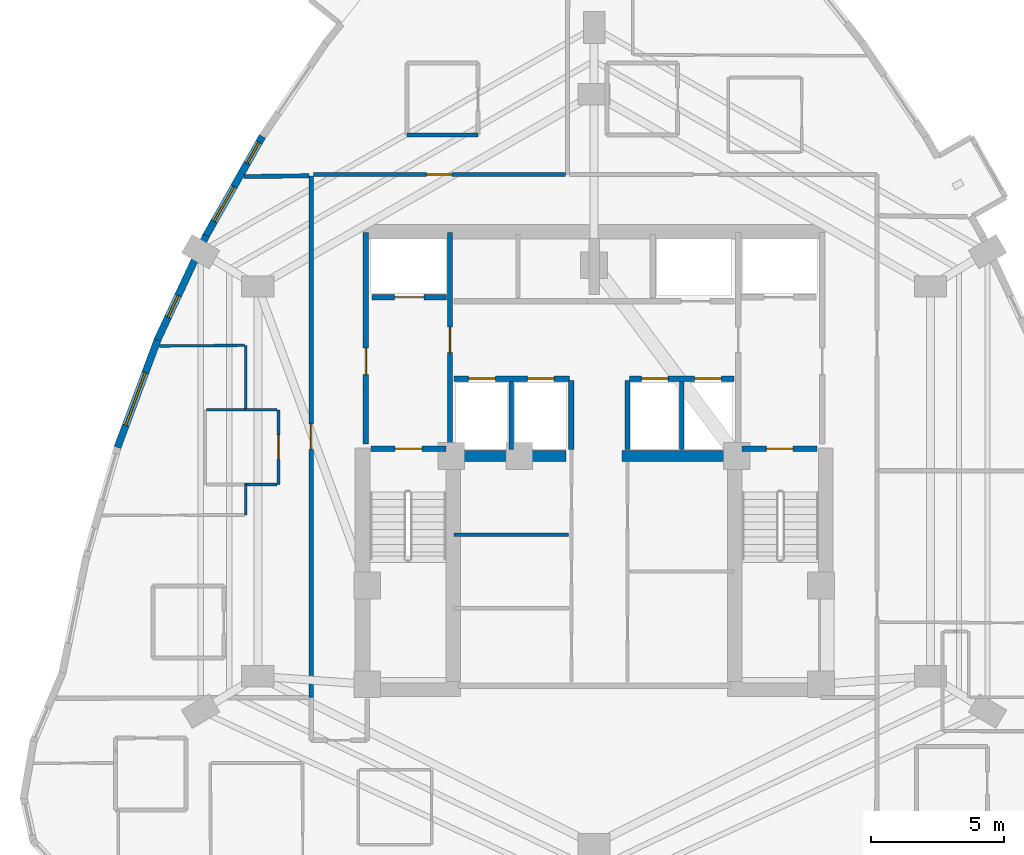
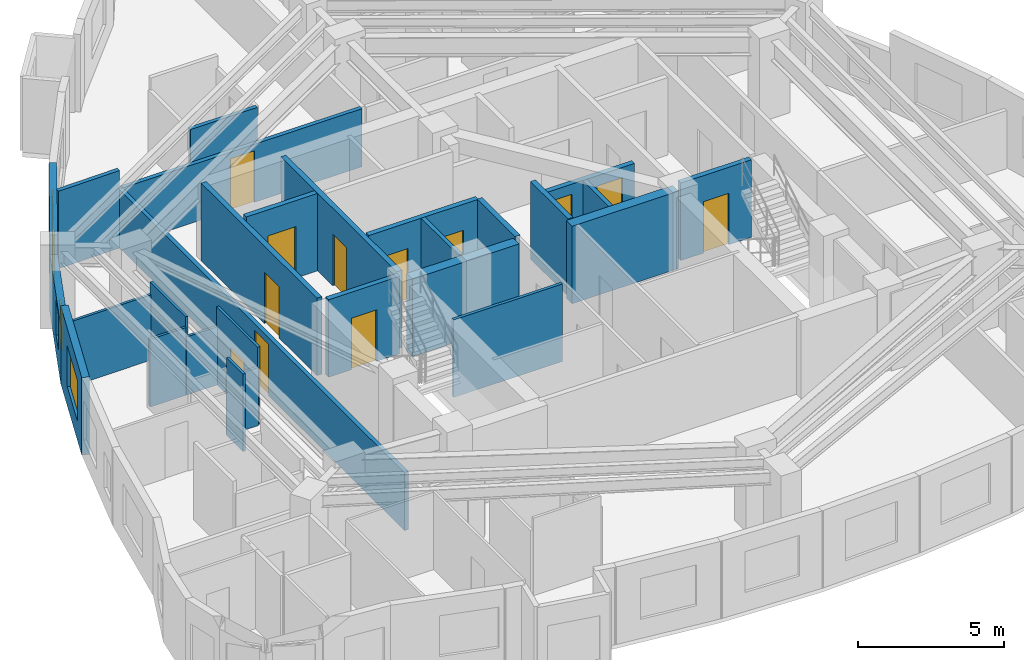
# One storey, part 7 of 11: 28 walls, 12 doors, 4 windows, 16 openings.
"""IFC4 building model written with IfcOpenShell, lengths in metres."""

from ifc_helpers import new_model, si_unit, direction, frame, frame_2d, origin, place, context, subcontext, project, spatial, rectangle, extrude, material, layer, layer_set, type_object, element, fill, save


model = new_model("IFC4")

# Units and contexts
model_context = context("Model", 3, precision=1e-05, world=origin(), true_north=direction((0.0, 1.0)))
body_context = subcontext(model_context, "Body", "Model", "MODEL_VIEW")
ifc_project = project(units=[si_unit("LENGTHUNIT", "METRE"), si_unit("AREAUNIT", "SQUARE_METRE"), si_unit("VOLUMEUNIT", "CUBIC_METRE"), si_unit("PLANEANGLEUNIT", "RADIAN"), si_unit("MASSUNIT", "GRAM", prefix="KILO")], contexts=[model_context])

# Site, building, storey
site_placement = place(None, origin())
site = spatial("IfcSite", under=ifc_project, at=site_placement, CompositionType="ELEMENT")
building_placement = place(site_placement, origin())
building = spatial("IfcBuilding", under=site, at=building_placement, Name="Miruveldt Soraemaru", CompositionType="ELEMENT")
storey_placement = place(building_placement, frame((0.0, 0.0, 159.89990234375)))
storey = spatial("IfcBuildingStorey", under=building, at=storey_placement, Name="L44", CompositionType="ELEMENT", Elevation=159.89990234375)

# Walls
ifc_material_1 = material(Name="Concrete C70/85 (70 MPa)", Category="concrete")
ifc_layer_1 = layer(ifc_material_1, 0.5, Name="Concrete C70/85 (70 MPa)", Category="concrete")
ifc_layer_set_1 = layer_set([ifc_layer_1], Name="Concrete C70/85 (70 MPa)")
wall_type_1 = type_object("IfcWallType", Name="WALL-BW-500", PredefinedType="SHEAR", material=ifc_layer_set_1)
for number, where, z_axis, x_axis, name in (
    (1, (38.75, 44.050048828125, 0.0), (0.0, 0.0, 1.0), (1.0, 0.0, 0.0), "L44 Core Buttress Shear Wall BW"),
    (2, (45.050048828125, 44.050048828125, 0.0), (0.0, 0.0, 1.0), (1.0, 0.0, 0.0), "L44 Core Buttress Shear Wall BE"),
):
    element("IfcWall", number, at=place(storey_placement, frame(where, z_axis=z_axis, x_axis=x_axis)), inside=storey, type_object=wall_type_1, Name=name, PredefinedType="SHEAR", context=body_context, shape_type="SweptSolid", body=[
        extrude(rectangle(XDim=4.199951171875, YDim=0.39990234375, at=frame_2d((2.10009765625, 0.0))), origin(), (0.0, 0.0, 1.0), 3.235107421875),
    ])

# Wall, openings, windows
ifc_material_2 = material(Name="Precast concrete C45/55 (45 MPa)", Category="concrete")
ifc_layer_2 = layer(ifc_material_2, 0.27001953125, Name="Precast concrete C45/55 (45 MPa)", Category="concrete")
ifc_layer_set_2 = layer_set([ifc_layer_2], Name="Precast concrete C45/55 (45 MPa)")
wall_type_2 = type_object("IfcWallType", Name="WALL-EXT-PC270", PredefinedType="SOLIDWALL", material=ifc_layer_set_2)
wall_1_placement = place(storey_placement, frame((31.572998046875, 56.025390625, 0.0), z_axis=(0.0, 0.0, 1.0), x_axis=(-0.493368115597, -0.869820615134, 0.0)))
wall_1 = element("IfcWall", 3, at=wall_1_placement, inside=storey, type_object=wall_type_2, Name="L44 Precast Concrete Facade Wall 10", PredefinedType="SOLIDWALL", context=body_context, shape_type="SweptSolid", body=[
    extrude(rectangle(XDim=4.330810546875, YDim=0.27001953125, at=frame_2d((2.16552734375, 0.0))), origin(), (0.0, 0.0, 1.0), 3.235107421875),
])
opening_1_placement = place(wall_1_placement, frame((0.25390625, 0.0, 0.780029296875)))
opening_1 = element("IfcOpeningElement", 4, at=opening_1_placement, cuts=wall_1, Name="Opening WN-7", PredefinedType="OPENING", context=body_context, shape_type="SweptSolid", body=[
    extrude(rectangle(XDim=0.89990234375, YDim=1.5, at=frame_2d((0.449951171875, 0.75))), frame((0.0, 0.14501953125, 0.0), z_axis=(0.0, -1.0, 0.0), x_axis=(1.0, 0.0, 0.0)), (0.0, 0.0, 1.0), 0.2900390625),
])
opening_2_placement = place(wall_1_placement, frame((2.158935546875, 0.0, 0.800048828125)))
opening_2 = element("IfcOpeningElement", 5, at=opening_2_placement, cuts=wall_1, Name="Opening WN-3", PredefinedType="OPENING", context=body_context, shape_type="SweptSolid", body=[
    extrude(rectangle(XDim=1.5, YDim=1.60009765625, at=frame_2d((0.75, 0.800048828125))), frame((0.0, 0.14501953125, 0.0), z_axis=(0.0, -1.0, 0.0), x_axis=(1.0, 0.0, 0.0)), (0.0, 0.0, 1.0), 0.2900390625),
])
ifc_material_3 = material(Name="Triple low-e insulated glazing", Category="glass")
window_type_1 = type_object("IfcWindowType", Name="WIN-PUNCH-1500x1600", PartitioningType="SINGLE_PANEL", PredefinedType="WINDOW", material=ifc_material_3)
window_1_placement = place(opening_2_placement, origin())
window_1 = element("IfcWindow", 6, at=window_1_placement, inside=storey, type_object=window_type_1, Name="L44 Punched Triple-Glazed Window 10.2", OverallHeight=1.60009765625, OverallWidth=1.5, PartitioningType="SINGLE_PANEL", PredefinedType="WINDOW", context=body_context, shape_type="SweptSolid", body=[
    extrude(rectangle(XDim=1.5, YDim=1.60009765625, at=frame_2d((0.75, 0.800048828125))), frame((0.0, 0.030029296875, 0.0), z_axis=(0.0, -1.0, 0.0), x_axis=(1.0, 0.0, 0.0)), (0.0, 0.0, 1.0), 0.06005859375),
])
fill(opening_2, window_1)
window_type_2 = type_object("IfcWindowType", Name="WIN-PUNCH-900x1500", PartitioningType="SINGLE_PANEL", PredefinedType="WINDOW", material=ifc_material_3)
window_2_placement = place(opening_1_placement, origin())
window_2 = element("IfcWindow", 7, at=window_2_placement, inside=storey, type_object=window_type_2, Name="L44 Punched Triple-Glazed Window 10.1", OverallHeight=1.5, OverallWidth=0.89990234375, PartitioningType="SINGLE_PANEL", PredefinedType="WINDOW", context=body_context, shape_type="SweptSolid", body=[
    extrude(rectangle(XDim=0.89990234375, YDim=1.5, at=frame_2d((0.449951171875, 0.75))), frame((0.0, 0.030029296875, 0.0), z_axis=(0.0, -1.0, 0.0), x_axis=(1.0, 0.0, 0.0)), (0.0, 0.0, 1.0), 0.06005859375),
])
fill(opening_1, window_2)

# Wall, opening, window
wall_2_placement = place(storey_placement, frame((29.46826171875, 52.3203125, 0.0), z_axis=(0.0, 0.0, 1.0), x_axis=(-0.422329907361, -0.906442193054, 0.0)))
wall_2 = element("IfcWall", 8, at=wall_2_placement, inside=storey, type_object=wall_type_2, Name="L44 Precast Concrete Facade Wall 11", PredefinedType="SOLIDWALL", context=body_context, shape_type="SweptSolid", body=[
    extrude(rectangle(XDim=4.3310546875, YDim=0.27001953125, at=frame_2d((2.16552734375, 0.0))), origin(), (0.0, 0.0, 1.0), 2.423095703125),
])
opening_3_placement = place(wall_2_placement, frame((2.487060546875, 0.0, 0.762939453125)))
opening_3 = element("IfcOpeningElement", 9, at=opening_3_placement, cuts=wall_2, Name="Opening WN-7", PredefinedType="OPENING", context=body_context, shape_type="SweptSolid", body=[
    extrude(rectangle(XDim=0.89990234375, YDim=1.5, at=frame_2d((0.449951171875, 0.75))), frame((0.0, 0.14501953125, 0.0), z_axis=(0.0, -1.0, 0.0), x_axis=(1.0, 0.0, 0.0)), (0.0, 0.0, 1.0), 0.2900390625),
])
window_3_placement = place(opening_3_placement, origin())
window_3 = element("IfcWindow", 10, at=window_3_placement, inside=storey, type_object=window_type_2, Name="L44 Punched Triple-Glazed Window 11.1", OverallHeight=1.5, OverallWidth=0.89990234375, PartitioningType="SINGLE_PANEL", PredefinedType="WINDOW", context=body_context, shape_type="SweptSolid", body=[
    extrude(rectangle(XDim=0.89990234375, YDim=1.5, at=frame_2d((0.449951171875, 0.75))), frame((0.0, 0.030029296875, 0.0), z_axis=(0.0, -1.0, 0.0), x_axis=(1.0, 0.0, 0.0)), (0.0, 0.0, 1.0), 0.06005859375),
])
fill(opening_3, window_3)

wall_3_placement = place(storey_placement, frame((27.666259765625, 48.458984375, 0.0), z_axis=(0.0, 0.0, 1.0), x_axis=(-0.349059830359, -0.937100440097, 0.0)))
wall_3 = element("IfcWall", 11, at=wall_3_placement, inside=storey, type_object=wall_type_2, Name="L44 Precast Concrete Facade Wall 12", PredefinedType="SOLIDWALL", context=body_context, shape_type="SweptSolid", body=[
    extrude(rectangle(XDim=4.358154296875, YDim=0.27001953125, at=frame_2d((2.17919921875, 0.0))), origin(), (0.0, 0.0, 1.0), 3.235107421875),
])
opening_4_placement = place(wall_3_placement, frame((1.375, 0.0, 0.800048828125)))
opening_4 = element("IfcOpeningElement", 12, at=opening_4_placement, cuts=wall_3, Name="Opening WN-1", PredefinedType="OPENING", context=body_context, shape_type="SweptSolid", body=[
    extrude(rectangle(XDim=2.10009765625, YDim=1.699951171875, at=frame_2d((1.050048828125, 0.85009765625))), frame((0.0, 0.14501953125, 0.0), z_axis=(0.0, -1.0, 0.0), x_axis=(1.0, 0.0, 0.0)), (0.0, 0.0, 1.0), 0.2900390625),
])
window_type_3 = type_object("IfcWindowType", Name="WIN-PUNCH-2100x1700", PartitioningType="SINGLE_PANEL", PredefinedType="WINDOW", material=ifc_material_3)
window_4_placement = place(opening_4_placement, origin())
window_4 = element("IfcWindow", 13, at=window_4_placement, inside=storey, type_object=window_type_3, Name="L44 Punched Triple-Glazed Window 12.1", OverallHeight=1.699951171875, OverallWidth=2.10009765625, PartitioningType="SINGLE_PANEL", PredefinedType="WINDOW", context=body_context, shape_type="SweptSolid", body=[
    extrude(rectangle(XDim=2.10009765625, YDim=1.699951171875, at=frame_2d((1.050048828125, 0.85009765625))), frame((0.0, 0.030029296875, 0.0), z_axis=(0.0, -1.0, 0.0), x_axis=(1.0, 0.0, 0.0)), (0.0, 0.0, 1.0), 0.06005859375),
])
fill(opening_4, window_4)

# Wall, opening, door
ifc_material_4 = material(Name="Gypsum plasterboard lining", Category="gypsum")
ifc_layer_3 = layer(ifc_material_4, 0.10009765625, Name="Gypsum plasterboard lining", Category="gypsum")
ifc_layer_set_3 = layer_set([ifc_layer_3], Name="Gypsum plasterboard lining")
wall_type_3 = type_object("IfcWallType", Name="WALL-INT-P100", PredefinedType="PARTITIONING", material=ifc_layer_set_3)
wall_4_placement = place(storey_placement, frame((32.177001953125, 42.98095703125, 0.0), z_axis=(0.0, 0.0, 1.0), x_axis=(0.0, 1.0, 0.0)))
wall_4 = element("IfcWall", 14, at=wall_4_placement, inside=storey, type_object=wall_type_3, Name="L44 Partition Wall 35", PredefinedType="PARTITIONING", context=body_context, shape_type="SweptSolid", body=[
    extrude(rectangle(XDim=2.800048828125, YDim=0.10009765625, at=frame_2d((1.39990234375, 0.0))), origin(), (0.0, 0.0, 1.0), 3.235107421875),
])
opening_5_placement = place(wall_4_placement, frame((0.93994140625, 0.0, 0.0)))
opening_5 = element("IfcOpeningElement", 15, at=opening_5_placement, cuts=wall_4, Name="Opening D3A", PredefinedType="OPENING", context=body_context, shape_type="SweptSolid", body=[
    extrude(rectangle(XDim=0.919921875, YDim=2.10009765625, at=frame_2d((0.4599609375, 1.050048828125))), frame((0.0, 0.06005859375, 0.0), z_axis=(0.0, -1.0, 0.0), x_axis=(1.0, 0.0, 0.0)), (0.0, 0.0, 1.0), 0.1201171875),
])
ifc_material_5 = material(Name="Anodised aluminium EN AW-6063 T6", Category="aluminium")
door_type_1 = type_object("IfcDoorType", Name="DOOR-INT-920", OperationType="NOTDEFINED", PredefinedType="DOOR", material=ifc_material_5)
door_1_placement = place(opening_5_placement, origin())
door_1 = element("IfcDoor", 16, at=door_1_placement, inside=storey, type_object=door_type_1, Name="L44 Unit 4403 KIT Door", OperationType="SINGLE_SWING_LEFT", OverallHeight=2.10009765625, OverallWidth=0.919921875, PredefinedType="DOOR", context=body_context, shape_type="SweptSolid", body=[
    extrude(rectangle(XDim=0.919921875, YDim=2.10009765625, at=frame_2d((0.4599609375, 1.050048828125))), frame((0.0, 0.02490234375, 0.0), z_axis=(0.0, -1.0, 0.0), x_axis=(1.0, 0.0, 0.0)), (0.0, 0.0, 1.0), 0.050048828125),
])
fill(opening_5, door_1)

# Walls
wall_5_placement = place(storey_placement, frame((27.718994140625, 48.172119140625, 0.0), z_axis=(0.0, 0.0, 1.0), x_axis=(0.999971713347, 0.007521469638, 0.0)))
element("IfcWall", 17, at=wall_5_placement, inside=storey, type_object=wall_type_3, Name="L44 Partition Wall 38", PredefinedType="PARTITIONING", context=body_context, shape_type="SweptSolid", body=[
    extrude(rectangle(XDim=3.180908203125, YDim=0.10009765625, at=frame_2d((1.59033203125, 0.0))), origin(), (0.0, 0.0, 1.0), 2.72314453125),
])
wall_6_placement = place(storey_placement, frame((30.949951171875, 48.196044921875, 0.0), z_axis=(0.0, 0.0, 1.0), x_axis=(0.0, -1.0, 0.0)))
element("IfcWall", 18, at=wall_6_placement, inside=storey, type_object=wall_type_3, Name="L44 Partition Wall 39", PredefinedType="PARTITIONING", context=body_context, shape_type="SweptSolid", body=[
    extrude(rectangle(XDim=2.4150390625, YDim=0.10009765625, at=frame_2d((1.20751953125, 0.0))), origin(), (0.0, 0.0, 1.0), 3.235107421875),
])
wall_7_placement = place(storey_placement, frame((30.89990234375, 45.781005859375, 0.0), z_axis=(0.0, 0.0, 1.0), x_axis=(-1.0, 0.0, 0.0)))
element("IfcWall", 19, at=wall_7_placement, inside=storey, type_object=wall_type_3, Name="L44 Partition Wall 43", PredefinedType="PARTITIONING", context=body_context, shape_type="SweptSolid", body=[
    extrude(rectangle(XDim=1.4228515625, YDim=0.10009765625, at=frame_2d((0.71142578125, 0.0))), origin(), (0.0, 0.0, 1.0), 2.822998046875),
])
for number, where, z_axis, x_axis, name in (
    (20, (32.126953125, 45.781005859375, 0.0), (0.0, 0.0, 1.0), (-1.0, 0.0, 0.0), "L44 Partition Wall 36"),
    (21, (30.909912109375, 42.98095703125, 0.0), (0.0, 0.0, 1.0), (1.0, 0.0, 0.0), "L44 Partition Wall 37"),
):
    element("IfcWall", number, at=place(storey_placement, frame(where, z_axis=z_axis, x_axis=x_axis)), inside=storey, type_object=wall_type_3, Name=name, PredefinedType="PARTITIONING", context=body_context, shape_type="SweptSolid", body=[
        extrude(rectangle(XDim=1.217041015625, YDim=0.10009765625, at=frame_2d((0.6083984375, 0.0))), origin(), (0.0, 0.0, 1.0), 2.423095703125),
    ])
wall_8_placement = place(storey_placement, frame((30.949951171875, 42.98095703125, 0.0), z_axis=(0.0, 0.0, 1.0), x_axis=(0.0, -1.0, 0.0)))
element("IfcWall", 22, at=wall_8_placement, inside=storey, type_object=wall_type_3, Name="L44 Partition Wall 40", PredefinedType="PARTITIONING", context=body_context, shape_type="SweptSolid", body=[
    extrude(rectangle(XDim=1.137939453125, YDim=0.10009765625, at=frame_2d((0.56884765625, 0.0))), origin(), (0.0, 0.0, 1.0), 3.235107421875),
])
ifc_layer_4 = layer(ifc_material_4, 0.1201171875, Name="Gypsum plasterboard lining", Category="gypsum")
ifc_layer_set_4 = layer_set([ifc_layer_4], Name="Gypsum plasterboard lining")
wall_type_4 = type_object("IfcWallType", Name="WALL-INT-P120", PredefinedType="PARTITIONING", material=ifc_layer_set_4)
wall_9_placement = place(storey_placement, frame((38.75, 41.10009765625, 0.0), z_axis=(0.0, 0.0, 1.0), x_axis=(1.0, 0.0, 0.0)))
element("IfcWall", 23, at=wall_9_placement, inside=storey, type_object=wall_type_4, Name="L44 Core Compartment Wall RL-W3B", PredefinedType="PARTITIONING", context=body_context, shape_type="SweptSolid", body=[
    extrude(rectangle(XDim=4.300048828125, YDim=0.1201171875, at=frame_2d((2.14990234375, 0.0))), origin(), (0.0, 0.0, 1.0), 3.235107421875),
])
ifc_layer_5 = layer(ifc_material_4, 0.14990234375, Name="Gypsum plasterboard lining", Category="gypsum")
ifc_layer_set_5 = layer_set([ifc_layer_5], Name="Gypsum plasterboard lining")
wall_type_5 = type_object("IfcWallType", Name="WALL-INT-PLUMB", PredefinedType="PLUMBINGWALL", material=ifc_layer_set_5)
wall_10_placement = place(storey_placement, frame((37.0, 56.080078125, 0.0), z_axis=(0.0, 0.0, 1.0), x_axis=(1.0, 0.0, 0.0)))
element("IfcWall", 24, at=wall_10_placement, inside=storey, type_object=wall_type_5, Name="L44 Partition Wall 14", PredefinedType="PLUMBINGWALL", context=body_context, shape_type="SweptSolid", body=[
    extrude(rectangle(XDim=2.64990234375, YDim=0.14990234375, at=frame_2d((1.324951171875, 0.0))), origin(), (0.0, 0.0, 1.0), 2.72314453125),
])

# Wall, opening, door
ifc_material_6 = material(Name="Concrete C40/50 (40 MPa)", Category="concrete")
ifc_layer_6 = layer(ifc_material_6, 0.159912109375, Name="Concrete C40/50 (40 MPa)", Category="concrete")
ifc_layer_set_6 = layer_set([ifc_layer_6], Name="Concrete C40/50 (40 MPa)")
wall_type_6 = type_object("IfcWallType", Name="WALL-INT-RC160", PredefinedType="SOLIDWALL", material=ifc_layer_set_6)
wall_11_placement = place(storey_placement, frame((33.39990234375, 54.544921875, 0.0), z_axis=(0.0, 0.0, 1.0), x_axis=(0.0, -1.0, 0.0)))
wall_11 = element("IfcWall", 25, at=wall_11_placement, inside=storey, type_object=wall_type_6, Name="L44 Partition Wall 4", PredefinedType="SOLIDWALL", context=body_context, shape_type="SweptSolid", body=[
    extrude(rectangle(XDim=19.5400390625, YDim=0.159912109375, at=frame_2d((9.77001953125, 0.0))), origin(), (0.0, 0.0, 1.0), 2.423095703125),
])
opening_6_placement = place(wall_11_placement, frame((9.294921875, 0.0, 0.0)))
opening_6 = element("IfcOpeningElement", 26, at=opening_6_placement, cuts=wall_11, Name="Opening FD2", PredefinedType="OPENING", context=body_context, shape_type="SweptSolid", body=[
    extrude(rectangle(XDim=0.949951171875, YDim=2.14990234375, at=frame_2d((0.47509765625, 1.074951171875))), frame((0.0, 0.08984375, 0.0), z_axis=(0.0, -1.0, 0.0), x_axis=(1.0, 0.0, 0.0)), (0.0, 0.0, 1.0), 0.179931640625),
])
door_type_2 = type_object("IfcDoorType", Name="DOOR-FD2-950", OperationType="NOTDEFINED", PredefinedType="DOOR", material=ifc_material_5)
door_2_placement = place(opening_6_placement, origin())
door_2 = element("IfcDoor", 27, at=door_2_placement, inside=storey, type_object=door_type_2, Name="L44 Unit 4403 Entrance Fire Door", OperationType="SINGLE_SWING_LEFT", OverallHeight=2.14990234375, OverallWidth=0.949951171875, PredefinedType="DOOR", context=body_context, shape_type="SweptSolid", body=[
    extrude(rectangle(XDim=0.949951171875, YDim=2.14990234375, at=frame_2d((0.47509765625, 1.074951171875))), frame((0.0, 0.02490234375, 0.0), z_axis=(0.0, -1.0, 0.0), x_axis=(1.0, 0.0, 0.0)), (0.0, 0.0, 1.0), 0.050048828125),
])
fill(opening_6, door_2)

wall_12_placement = place(storey_placement, frame((42.919921875, 54.60009765625, 0.0), z_axis=(0.0, 0.0, 1.0), x_axis=(-1.0, 0.0, 0.0)))
wall_12 = element("IfcWall", 28, at=wall_12_placement, inside=storey, type_object=wall_type_6, Name="L44 Partition Wall 1", PredefinedType="SOLIDWALL", context=body_context, shape_type="SweptSolid", body=[
    extrude(rectangle(XDim=9.43994140625, YDim=0.159912109375, at=frame_2d((4.719970703125, 0.0))), origin(), (0.0, 0.0, 1.0), 2.423095703125),
])
opening_7_placement = place(wall_12_placement, frame((4.2451171875, 0.0, 0.0)))
opening_7 = element("IfcOpeningElement", 29, at=opening_7_placement, cuts=wall_12, Name="Opening FD2", PredefinedType="OPENING", context=body_context, shape_type="SweptSolid", body=[
    extrude(rectangle(XDim=0.949951171875, YDim=2.14990234375, at=frame_2d((0.47509765625, 1.074951171875))), frame((0.0, 0.08984375, 0.0), z_axis=(0.0, -1.0, 0.0), x_axis=(1.0, 0.0, 0.0)), (0.0, 0.0, 1.0), 0.179931640625),
])
door_3_placement = place(opening_7_placement, origin())
door_3 = element("IfcDoor", 30, at=door_3_placement, inside=storey, type_object=door_type_2, Name="L44 Unit CL01 Entrance Fire Door", OperationType="SINGLE_SWING_RIGHT", OverallHeight=2.14990234375, OverallWidth=0.949951171875, PredefinedType="DOOR", context=body_context, shape_type="SweptSolid", body=[
    extrude(rectangle(XDim=0.949951171875, YDim=2.14990234375, at=frame_2d((0.47509765625, 1.074951171875))), frame((0.0, 0.02490234375, 0.0), z_axis=(0.0, -1.0, 0.0), x_axis=(1.0, 0.0, 0.0)), (0.0, 0.0, 1.0), 0.050048828125),
])
fill(opening_7, door_3)

# Walls
wall_13_placement = place(storey_placement, frame((40.89990234375, 44.300048828125, 0.0), z_axis=(0.0, 0.0, 1.0), x_axis=(0.0, 1.0, 0.0)))
element("IfcWall", 31, at=wall_13_placement, inside=storey, type_object=wall_type_6, Name="L44 Core Compartment Wall PLM-DW", PredefinedType="SOLIDWALL", context=body_context, shape_type="SweptSolid", body=[
    extrude(rectangle(XDim=2.550048828125, YDim=0.159912109375, at=frame_2d((1.27490234375, 0.0))), origin(), (0.0, 0.0, 1.0), 3.235107421875),
])
wall_14_placement = place(storey_placement, frame((47.280029296875, 44.300048828125, 0.0), z_axis=(0.0, 0.0, 1.0), x_axis=(0.0, 1.0, 0.0)))
element("IfcWall", 32, at=wall_14_placement, inside=storey, type_object=wall_type_6, Name="L44 Core Compartment Wall PLM-DE", PredefinedType="SOLIDWALL", context=body_context, shape_type="SweptSolid", body=[
    extrude(rectangle(XDim=2.550048828125, YDim=0.159912109375, at=frame_2d((1.27490234375, 0.0))), origin(), (0.0, 0.0, 1.0), 2.572998046875),
])
wall_15_placement = place(storey_placement, frame((30.889892578125, 54.51806640625, 0.0), z_axis=(0.0, 0.0, 1.0), x_axis=(0.999918273419, 0.01278461902, 0.0)))
element("IfcWall", 33, at=wall_15_placement, inside=storey, type_object=wall_type_6, Name="L44 Partition Wall 16", PredefinedType="SOLIDWALL", context=body_context, shape_type="SweptSolid", body=[
    extrude(rectangle(XDim=2.42529296875, YDim=0.159912109375, at=frame_2d((1.212646484375, 0.0))), origin(), (0.0, 0.0, 1.0), 3.235107421875),
])

# Wall, opening, door
ifc_layer_7 = layer(ifc_material_6, 0.199951171875, Name="Concrete C40/50 (40 MPa)", Category="concrete")
ifc_layer_set_7 = layer_set([ifc_layer_7], Name="Concrete C40/50 (40 MPa)")
wall_type_7 = type_object("IfcWallType", Name="WALL-INT-RC200", PredefinedType="SOLIDWALL", material=ifc_layer_set_7)
wall_16_placement = place(storey_placement, frame((35.449951171875, 44.5, 0.0), z_axis=(0.0, 0.0, 1.0), x_axis=(0.0, 1.0, 0.0)))
wall_16 = element("IfcWall", 34, at=wall_16_placement, inside=storey, type_object=wall_type_7, Name="L44 Core Compartment Wall FFW-OUT", PredefinedType="SOLIDWALL", context=body_context, shape_type="SweptSolid", body=[
    extrude(rectangle(XDim=7.919921875, YDim=0.199951171875, at=frame_2d((3.9599609375, 0.0))), origin(), (0.0, 0.0, 1.0), 3.235107421875),
])
opening_8_placement = place(wall_16_placement, frame((2.60009765625, 0.0, 0.0)))
opening_8 = element("IfcOpeningElement", 35, at=opening_8_placement, cuts=wall_16, Name="Opening FD1", PredefinedType="OPENING", context=body_context, shape_type="SweptSolid", body=[
    extrude(rectangle(XDim=1.0, YDim=2.14990234375, at=frame_2d((0.5, 1.074951171875))), frame((0.0, 0.10986328125, 0.0), z_axis=(0.0, -1.0, 0.0), x_axis=(1.0, 0.0, 0.0)), (0.0, 0.0, 1.0), 0.219970703125),
])
door_type_3 = type_object("IfcDoorType", Name="DOOR-FD1-1000", OperationType="NOTDEFINED", PredefinedType="DOOR", material=ifc_material_5)
door_4_placement = place(opening_8_placement, origin())
door_4 = element("IfcDoor", 36, at=door_4_placement, inside=storey, type_object=door_type_3, Name="L44 West Firefighting Lobby Exit Door", OperationType="SINGLE_SWING_LEFT", OverallHeight=2.14990234375, OverallWidth=1.0, PredefinedType="DOOR", context=body_context, shape_type="SweptSolid", body=[
    extrude(rectangle(XDim=1.0, YDim=2.14990234375, at=frame_2d((0.5, 1.074951171875))), frame((0.0, 0.02490234375, 0.0), z_axis=(0.0, -1.0, 0.0), x_axis=(1.0, 0.0, 0.0)), (0.0, 0.0, 1.0), 0.050048828125),
])
fill(opening_8, door_4)

wall_17_placement = place(storey_placement, frame((38.60009765625, 44.5, 0.0), z_axis=(0.0, 0.0, 1.0), x_axis=(0.0, 1.0, 0.0)))
wall_17 = element("IfcWall", 37, at=wall_17_placement, inside=storey, type_object=wall_type_7, Name="L44 Core Compartment Wall FFW-IN", PredefinedType="SOLIDWALL", context=body_context, shape_type="SweptSolid", body=[
    extrude(rectangle(XDim=7.919921875, YDim=0.199951171875, at=frame_2d((3.9599609375, 0.0))), origin(), (0.0, 0.0, 1.0), 3.235107421875),
])
opening_9_placement = place(wall_17_placement, frame((3.425048828125, 0.0, 0.0)))
opening_9 = element("IfcOpeningElement", 38, at=opening_9_placement, cuts=wall_17, Name="Opening FD2", PredefinedType="OPENING", context=body_context, shape_type="SweptSolid", body=[
    extrude(rectangle(XDim=0.949951171875, YDim=2.14990234375, at=frame_2d((0.47509765625, 1.074951171875))), frame((0.0, 0.10986328125, 0.0), z_axis=(0.0, -1.0, 0.0), x_axis=(1.0, 0.0, 0.0)), (0.0, 0.0, 1.0), 0.219970703125),
])
door_5_placement = place(opening_9_placement, frame((0.949951171875, 0.0, 0.0), z_axis=(0.0, 0.0, 1.0), x_axis=(-1.0, 0.0, 0.0)))
door_5 = element("IfcDoor", 39, at=door_5_placement, inside=storey, type_object=door_type_2, Name="L44 Lift Lobby to West Fire Lobby Door", OperationType="SINGLE_SWING_RIGHT", OverallHeight=2.14990234375, OverallWidth=0.949951171875, PredefinedType="DOOR", context=body_context, shape_type="SweptSolid", body=[
    extrude(rectangle(XDim=0.949951171875, YDim=2.14990234375, at=frame_2d((0.47509765625, 1.074951171875))), frame((0.0, 0.02490234375, 0.0), z_axis=(0.0, -1.0, 0.0), x_axis=(1.0, 0.0, 0.0)), (0.0, 0.0, 1.0), 0.050048828125),
])
fill(opening_9, door_5)

# Wall, openings, doors
wall_18_placement = place(storey_placement, frame((38.75, 46.949951171875, 0.0), z_axis=(0.0, 0.0, 1.0), x_axis=(1.0, 0.0, 0.0)))
wall_18 = element("IfcWall", 40, at=wall_18_placement, inside=storey, type_object=wall_type_7, Name="L44 Core Compartment Wall MBW-N", PredefinedType="SOLIDWALL", context=body_context, shape_type="SweptSolid", body=[
    extrude(rectangle(XDim=4.330078125, YDim=0.199951171875, at=frame_2d((2.1650390625, 0.0))), origin(), (0.0, 0.0, 1.0), 3.235107421875),
])
opening_10_placement = place(wall_18_placement, frame((0.550048828125, 0.0, 0.0)))
opening_10 = element("IfcOpeningElement", 41, at=opening_10_placement, cuts=wall_18, Name="Opening LD1B", PredefinedType="OPENING", context=body_context, shape_type="SweptSolid", body=[
    extrude(rectangle(XDim=1.0, YDim=2.14990234375, at=frame_2d((0.5, 1.074951171875))), frame((0.0, 0.10986328125, 0.0), z_axis=(0.0, -1.0, 0.0), x_axis=(1.0, 0.0, 0.0)), (0.0, 0.0, 1.0), 0.219970703125),
])
opening_11_placement = place(wall_18_placement, frame((2.75, 0.0, 0.0)))
opening_11 = element("IfcOpeningElement", 42, at=opening_11_placement, cuts=wall_18, Name="Opening LD1B", PredefinedType="OPENING", context=body_context, shape_type="SweptSolid", body=[
    extrude(rectangle(XDim=1.0, YDim=2.14990234375, at=frame_2d((0.5, 1.074951171875))), frame((0.0, 0.10986328125, 0.0), z_axis=(0.0, -1.0, 0.0), x_axis=(1.0, 0.0, 0.0)), (0.0, 0.0, 1.0), 0.219970703125),
])
door_type_4 = type_object("IfcDoorType", Name="DOOR-LD1-1000", OperationType="SLIDING_TO_LEFT", PredefinedType="DOOR", material=ifc_material_5)
door_6_placement = place(opening_10_placement, origin())
door_6 = element("IfcDoor", 43, at=door_6_placement, inside=storey, type_object=door_type_4, Name="L44 PL-M1 Landing Door", OperationType="SLIDING_TO_LEFT", OverallHeight=2.14990234375, OverallWidth=1.0, PredefinedType="DOOR", context=body_context, shape_type="SweptSolid", body=[
    extrude(rectangle(XDim=1.0, YDim=2.14990234375, at=frame_2d((0.5, 1.074951171875))), frame((0.0, 0.02490234375, 0.0), z_axis=(0.0, -1.0, 0.0), x_axis=(1.0, 0.0, 0.0)), (0.0, 0.0, 1.0), 0.050048828125),
])
fill(opening_10, door_6)
door_7_placement = place(opening_11_placement, origin())
door_7 = element("IfcDoor", 44, at=door_7_placement, inside=storey, type_object=door_type_4, Name="L44 PL-M2 Landing Door", OperationType="SLIDING_TO_LEFT", OverallHeight=2.14990234375, OverallWidth=1.0, PredefinedType="DOOR", context=body_context, shape_type="SweptSolid", body=[
    extrude(rectangle(XDim=1.0, YDim=2.14990234375, at=frame_2d((0.5, 1.074951171875))), frame((0.0, 0.02490234375, 0.0), z_axis=(0.0, -1.0, 0.0), x_axis=(1.0, 0.0, 0.0)), (0.0, 0.0, 1.0), 0.050048828125),
])
fill(opening_11, door_7)

wall_19_placement = place(storey_placement, frame((45.320068359375, 46.949951171875, 0.0), z_axis=(0.0, 0.0, 1.0), x_axis=(1.0, 0.0, 0.0)))
wall_19 = element("IfcWall", 45, at=wall_19_placement, inside=storey, type_object=wall_type_7, Name="L44 Core Compartment Wall MBE-N", PredefinedType="SOLIDWALL", context=body_context, shape_type="SweptSolid", body=[
    extrude(rectangle(XDim=3.929931640625, YDim=0.199951171875, at=frame_2d((1.96484375, 0.0))), origin(), (0.0, 0.0, 1.0), 2.572998046875),
])
opening_12_placement = place(wall_19_placement, frame((0.449951171875, 0.0, 0.0)))
opening_12 = element("IfcOpeningElement", 46, at=opening_12_placement, cuts=wall_19, Name="Opening LD1B", PredefinedType="OPENING", context=body_context, shape_type="SweptSolid", body=[
    extrude(rectangle(XDim=1.0, YDim=2.14990234375, at=frame_2d((0.5, 1.074951171875))), frame((0.0, 0.10986328125, 0.0), z_axis=(0.0, -1.0, 0.0), x_axis=(1.0, 0.0, 0.0)), (0.0, 0.0, 1.0), 0.219970703125),
])
opening_13_placement = place(wall_19_placement, frame((2.449951171875, 0.0, 0.0)))
opening_13 = element("IfcOpeningElement", 47, at=opening_13_placement, cuts=wall_19, Name="Opening LD1B", PredefinedType="OPENING", context=body_context, shape_type="SweptSolid", body=[
    extrude(rectangle(XDim=1.0, YDim=2.14990234375, at=frame_2d((0.5, 1.074951171875))), frame((0.0, 0.10986328125, 0.0), z_axis=(0.0, -1.0, 0.0), x_axis=(1.0, 0.0, 0.0)), (0.0, 0.0, 1.0), 0.219970703125),
])
door_8_placement = place(opening_12_placement, origin())
door_8 = element("IfcDoor", 48, at=door_8_placement, inside=storey, type_object=door_type_4, Name="L44 PL-M3 Landing Door", OperationType="SLIDING_TO_LEFT", OverallHeight=2.14990234375, OverallWidth=1.0, PredefinedType="DOOR", context=body_context, shape_type="SweptSolid", body=[
    extrude(rectangle(XDim=1.0, YDim=2.14990234375, at=frame_2d((0.5, 1.074951171875))), frame((0.0, 0.02490234375, 0.0), z_axis=(0.0, -1.0, 0.0), x_axis=(1.0, 0.0, 0.0)), (0.0, 0.0, 1.0), 0.050048828125),
])
fill(opening_12, door_8)
door_9_placement = place(opening_13_placement, origin())
door_9 = element("IfcDoor", 49, at=door_9_placement, inside=storey, type_object=door_type_4, Name="L44 PL-M4 Landing Door", OperationType="SLIDING_TO_LEFT", OverallHeight=2.14990234375, OverallWidth=1.0, PredefinedType="DOOR", context=body_context, shape_type="SweptSolid", body=[
    extrude(rectangle(XDim=1.0, YDim=2.14990234375, at=frame_2d((0.5, 1.074951171875))), frame((0.0, 0.02490234375, 0.0), z_axis=(0.0, -1.0, 0.0), x_axis=(1.0, 0.0, 0.0)), (0.0, 0.0, 1.0), 0.050048828125),
])
fill(opening_13, door_9)

# Wall, opening, door
wall_20_placement = place(storey_placement, frame((35.64990234375, 44.320068359375, 0.0), z_axis=(0.0, 0.0, 1.0), x_axis=(1.0, 0.0, 0.0)))
wall_20 = element("IfcWall", 50, at=wall_20_placement, inside=storey, type_object=wall_type_7, Name="L44 Core Compartment Wall ST1-N", PredefinedType="SOLIDWALL", context=body_context, shape_type="SweptSolid", body=[
    extrude(rectangle(XDim=2.800048828125, YDim=0.199951171875, at=frame_2d((1.39990234375, 0.0))), origin(), (0.0, 0.0, 1.0), 3.235107421875),
])
opening_14_placement = place(wall_20_placement, frame((0.89990234375, 0.0, 0.0)))
opening_14 = element("IfcOpeningElement", 51, at=opening_14_placement, cuts=wall_20, Name="Opening FD1", PredefinedType="OPENING", context=body_context, shape_type="SweptSolid", body=[
    extrude(rectangle(XDim=1.0, YDim=2.14990234375, at=frame_2d((0.5, 1.074951171875))), frame((0.0, 0.10986328125, 0.0), z_axis=(0.0, -1.0, 0.0), x_axis=(1.0, 0.0, 0.0)), (0.0, 0.0, 1.0), 0.219970703125),
])
door_10_placement = place(opening_14_placement, frame((1.0, 0.0, 0.0), z_axis=(0.0, 0.0, 1.0), x_axis=(-1.0, 0.0, 0.0)))
door_10 = element("IfcDoor", 52, at=door_10_placement, inside=storey, type_object=door_type_3, Name="L44 Stair ST-1 Fire Door", OperationType="SINGLE_SWING_LEFT", OverallHeight=2.14990234375, OverallWidth=1.0, PredefinedType="DOOR", context=body_context, shape_type="SweptSolid", body=[
    extrude(rectangle(XDim=1.0, YDim=2.14990234375, at=frame_2d((0.5, 1.074951171875))), frame((0.0, 0.02490234375, 0.0), z_axis=(0.0, -1.0, 0.0), x_axis=(1.0, 0.0, 0.0)), (0.0, 0.0, 1.0), 0.050048828125),
])
fill(opening_14, door_10)

wall_21_placement = place(storey_placement, frame((49.550048828125, 44.320068359375, 0.0), z_axis=(0.0, 0.0, 1.0), x_axis=(1.0, 0.0, 0.0)))
wall_21 = element("IfcWall", 53, at=wall_21_placement, inside=storey, type_object=wall_type_7, Name="L44 Core Compartment Wall ST2-N", PredefinedType="SOLIDWALL", context=body_context, shape_type="SweptSolid", body=[
    extrude(rectangle(XDim=2.800048828125, YDim=0.199951171875, at=frame_2d((1.39990234375, 0.0))), origin(), (0.0, 0.0, 1.0), 3.235107421875),
])
opening_15_placement = place(wall_21_placement, frame((0.89990234375, 0.0, 0.0)))
opening_15 = element("IfcOpeningElement", 54, at=opening_15_placement, cuts=wall_21, Name="Opening FD1", PredefinedType="OPENING", context=body_context, shape_type="SweptSolid", body=[
    extrude(rectangle(XDim=1.0, YDim=2.14990234375, at=frame_2d((0.5, 1.074951171875))), frame((0.0, 0.10986328125, 0.0), z_axis=(0.0, -1.0, 0.0), x_axis=(1.0, 0.0, 0.0)), (0.0, 0.0, 1.0), 0.219970703125),
])
door_11_placement = place(opening_15_placement, frame((1.0, 0.0, 0.0), z_axis=(0.0, 0.0, 1.0), x_axis=(-1.0, 0.0, 0.0)))
door_11 = element("IfcDoor", 55, at=door_11_placement, inside=storey, type_object=door_type_3, Name="L44 Stair ST-2 Fire Door", OperationType="SINGLE_SWING_RIGHT", OverallHeight=2.14990234375, OverallWidth=1.0, PredefinedType="DOOR", context=body_context, shape_type="SweptSolid", body=[
    extrude(rectangle(XDim=1.0, YDim=2.14990234375, at=frame_2d((0.5, 1.074951171875))), frame((0.0, 0.02490234375, 0.0), z_axis=(0.0, -1.0, 0.0), x_axis=(1.0, 0.0, 0.0)), (0.0, 0.0, 1.0), 0.050048828125),
])
fill(opening_15, door_11)

wall_22_placement = place(storey_placement, frame((35.679931640625, 50.0, 0.0), z_axis=(0.0, 0.0, 1.0), x_axis=(1.0, 0.0, 0.0)))
wall_22 = element("IfcWall", 56, at=wall_22_placement, inside=storey, type_object=wall_type_7, Name="L44 Core Compartment Wall FFL1-S", PredefinedType="SOLIDWALL", context=body_context, shape_type="SweptSolid", body=[
    extrude(rectangle(XDim=2.800048828125, YDim=0.199951171875, at=frame_2d((1.39990234375, 0.0))), origin(), (0.0, 0.0, 1.0), 3.235107421875),
])
opening_16_placement = place(wall_22_placement, frame((0.85009765625, 0.0, 0.0)))
opening_16 = element("IfcOpeningElement", 57, at=opening_16_placement, cuts=wall_22, Name="Opening LD2", PredefinedType="OPENING", context=body_context, shape_type="SweptSolid", body=[
    extrude(rectangle(XDim=1.10009765625, YDim=2.14990234375, at=frame_2d((0.550048828125, 1.074951171875))), frame((0.0, 0.10986328125, 0.0), z_axis=(0.0, -1.0, 0.0), x_axis=(1.0, 0.0, 0.0)), (0.0, 0.0, 1.0), 0.219970703125),
])
door_type_5 = type_object("IfcDoorType", Name="DOOR-LD2-1100", OperationType="SLIDING_TO_LEFT", PredefinedType="DOOR", material=ifc_material_5)
door_12_placement = place(opening_16_placement, origin())
door_12 = element("IfcDoor", 58, at=door_12_placement, inside=storey, type_object=door_type_5, Name="L44 FFL-1 Landing Door", OperationType="SLIDING_TO_LEFT", OverallHeight=2.14990234375, OverallWidth=1.10009765625, PredefinedType="DOOR", context=body_context, shape_type="SweptSolid", body=[
    extrude(rectangle(XDim=1.10009765625, YDim=2.14990234375, at=frame_2d((0.550048828125, 1.074951171875))), frame((0.0, 0.02490234375, 0.0), z_axis=(0.0, -1.0, 0.0), x_axis=(1.0, 0.0, 0.0)), (0.0, 0.0, 1.0), 0.050048828125),
])
fill(opening_16, door_12)

# Walls
for number, where, z_axis, x_axis, name in (
    (59, (43.14990234375, 44.300048828125, 0.0), (0.0, 0.0, 1.0), (0.0, 1.0, 0.0), "L44 Core Compartment Wall SP-WB"),
    (60, (45.25, 44.300048828125, 0.0), (0.0, 0.0, 1.0), (0.0, 1.0, 0.0), "L44 Core Compartment Wall SP-EB"),
):
    element("IfcWall", number, at=place(storey_placement, frame(where, z_axis=z_axis, x_axis=x_axis)), inside=storey, type_object=wall_type_7, Name=name, PredefinedType="SOLIDWALL", context=body_context, shape_type="SweptSolid", body=[
        extrude(rectangle(XDim=2.579833984375, YDim=0.199951171875, at=frame_2d((1.2900390625, 0.0))), origin(), (0.0, 0.0, 1.0), 3.235107421875),
    ])

save(model, "model.ifc")
